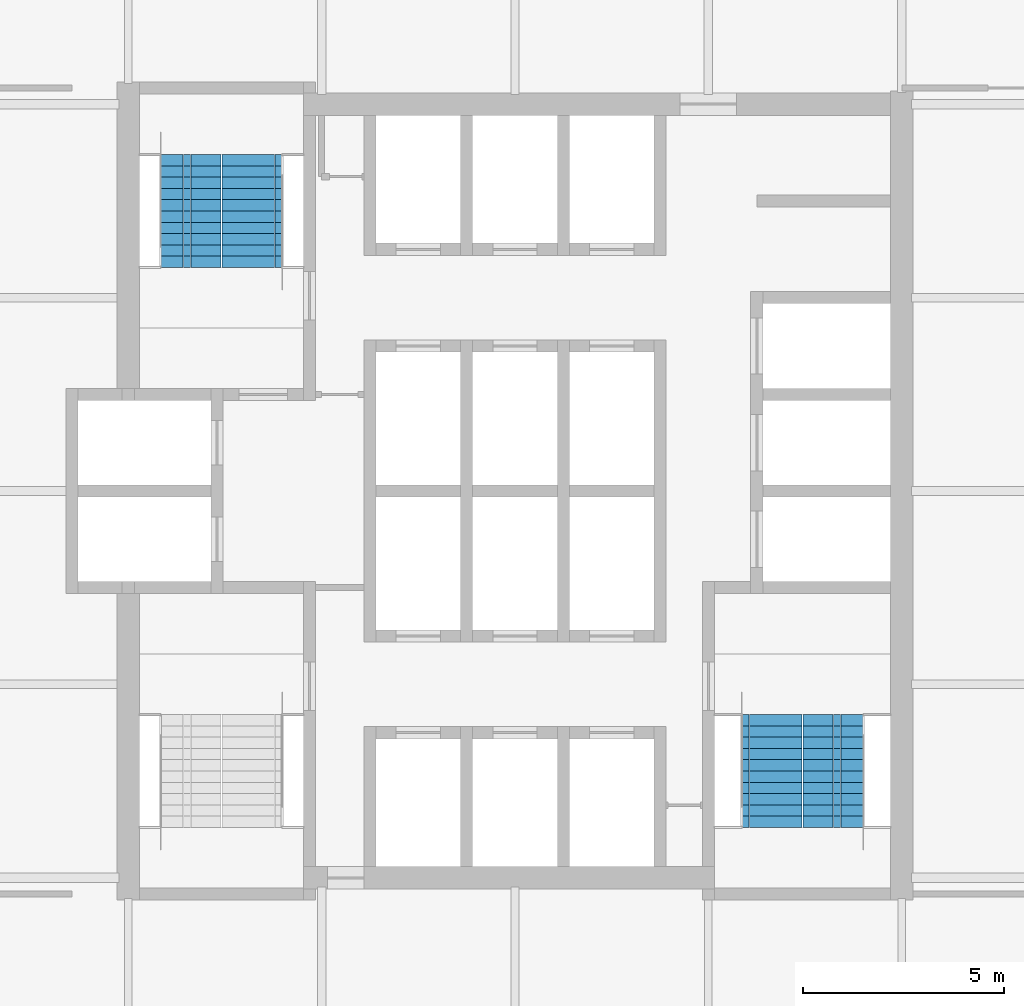
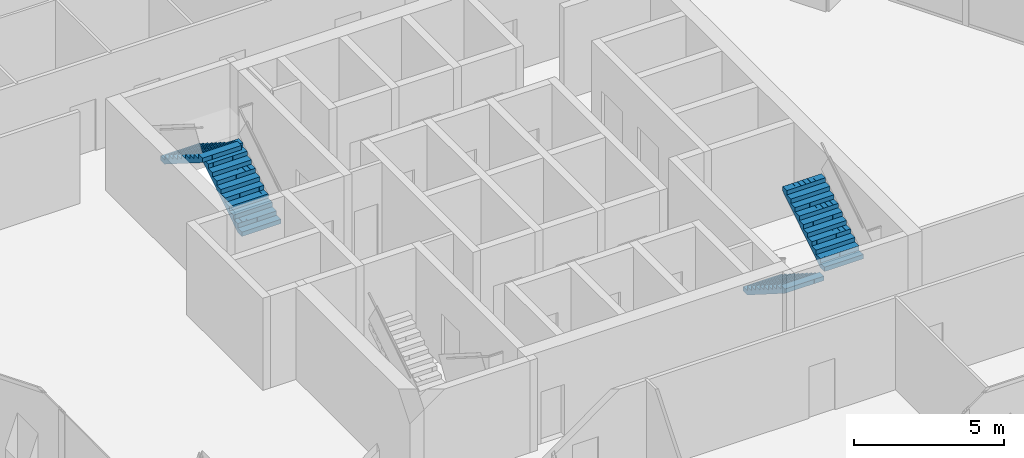
# One storey, part 11 of 13: 4 stair flights, 2 elements without a shape of their own.
"""IFC4 building model written with IfcOpenShell, lengths in metres."""

from ifc_helpers import new_model, si_unit, direction, frame, origin, place, context, subcontext, project, spatial, polyline, outline, extrude, material, type_object, element, aggregate, save


model = new_model("IFC4")

# Units and contexts
model_context = context("Model", 3, precision=1e-05, world=origin(), true_north=direction((0.0, 1.0)))
body_context = subcontext(model_context, "Body", "Model", "MODEL_VIEW")
ifc_project = project(units=[si_unit("LENGTHUNIT", "METRE"), si_unit("AREAUNIT", "SQUARE_METRE"), si_unit("VOLUMEUNIT", "CUBIC_METRE"), si_unit("PLANEANGLEUNIT", "RADIAN"), si_unit("MASSUNIT", "GRAM", prefix="KILO")], contexts=[model_context])

# Site, building, storey
site_placement = place(None, origin())
site = spatial("IfcSite", under=ifc_project, at=site_placement, CompositionType="ELEMENT")
building_placement = place(site_placement, origin())
building = spatial("IfcBuilding", under=site, at=building_placement, Name="Kolab Exchange Tower", CompositionType="ELEMENT")
storey_placement = place(building_placement, frame((0.0, 0.0, 230.60009765625)))
storey = spatial("IfcBuildingStorey", under=building, at=storey_placement, Name="L50", CompositionType="ELEMENT", Elevation=230.60009765625)

# Stair, stair flights
ifc_material = material(Name="Concrete C50/60", Category="concrete")
stair_type_1 = type_object("IfcStairType", Name="STAIR ST1 RISER 177.3", PredefinedType="HALF_TURN_STAIR", material=ifc_material)
stair_1_placement = place(storey_placement, origin())
stair_1 = element("IfcStair", 1, at=stair_1_placement, inside=storey, type_object=stair_type_1, Name="Stair 1", PredefinedType="HALF_TURN_STAIR")
stair_flight_type = type_object("IfcStairFlightType", Name="STAIR FLIGHT 1500 RISER 177.3", PredefinedType="STRAIGHT", material=ifc_material)
stair_flight_1_placement = place(storey_placement, frame((-6.527587890625, 5.550048828125, 0.0), z_axis=(0.0, 0.0, 1.0), x_axis=(0.0, 1.0, 0.0)))
stair_flight_1 = element("IfcStairFlight", 2, at=stair_flight_1_placement, type_object=stair_flight_type, Name="ST1 flight 1", NumberOfRisers=11, NumberOfTreads=10, PredefinedType="STRAIGHT", RiserHeight=0.177272727, TreadLength=0.28, context=body_context, shape_type="SweptSolid", body=[
    extrude(outline(polyline([(0.0, 0.0), (0.0, 0.17724609375), (0.280029296875, 0.17724609375), (0.280029296875, 0.3544921875), (0.56005859375, 0.3544921875), (0.56005859375, 0.53173828125), (0.840087890625, 0.53173828125), (0.840087890625, 0.708984375), (1.1201171875, 0.708984375), (1.1201171875, 0.886474609375), (1.39990234375, 0.886474609375), (1.39990234375, 1.063720703125), (1.679931640625, 1.063720703125), (1.679931640625, 1.240966796875), (1.9599609375, 1.240966796875), (1.9599609375, 1.418212890625), (2.239990234375, 1.418212890625), (2.239990234375, 1.595458984375), (2.52001953125, 1.595458984375), (2.52001953125, 1.772705078125), (2.800048828125, 1.772705078125), (2.800048828125, 1.949951171875), (2.800048828125, 1.59521484375), (0.2802734375, 0.0), (0.0, 0.0)])), frame((0.0, 0.75, 0.0), z_axis=(0.0, -1.0, 0.0), x_axis=(1.0, 0.0, 0.0)), (0.0, 0.0, 1.0), 0.185791015625),
    extrude(outline(polyline([(0.0, 0.0), (0.0, 0.17724609375), (0.280029296875, 0.17724609375), (0.280029296875, 0.3544921875), (0.56005859375, 0.3544921875), (0.56005859375, 0.53173828125), (0.840087890625, 0.53173828125), (0.840087890625, 0.708984375), (1.1201171875, 0.708984375), (1.1201171875, 0.886474609375), (1.39990234375, 0.886474609375), (1.39990234375, 1.063720703125), (1.679931640625, 1.063720703125), (1.679931640625, 1.240966796875), (1.9599609375, 1.240966796875), (1.9599609375, 1.418212890625), (2.239990234375, 1.418212890625), (2.239990234375, 1.595458984375), (2.52001953125, 1.595458984375), (2.52001953125, 1.772705078125), (2.800048828125, 1.772705078125), (2.800048828125, 1.949951171875), (2.800048828125, 1.59521484375), (0.2802734375, 0.0), (0.0, 0.0)])), frame((0.0, 0.562255859375, 0.0), z_axis=(0.0, -1.0, 0.0), x_axis=(1.0, 0.0, 0.0)), (0.0, 0.0, 1.0), 0.185791015625),
    extrude(outline(polyline([(0.0, 0.0), (0.0, 0.17724609375), (0.280029296875, 0.17724609375), (0.280029296875, 0.3544921875), (0.56005859375, 0.3544921875), (0.56005859375, 0.53173828125), (0.840087890625, 0.53173828125), (0.840087890625, 0.708984375), (1.1201171875, 0.708984375), (1.1201171875, 0.886474609375), (1.39990234375, 0.886474609375), (1.39990234375, 1.063720703125), (1.679931640625, 1.063720703125), (1.679931640625, 1.240966796875), (1.9599609375, 1.240966796875), (1.9599609375, 1.418212890625), (2.239990234375, 1.418212890625), (2.239990234375, 1.595458984375), (2.52001953125, 1.595458984375), (2.52001953125, 1.772705078125), (2.800048828125, 1.772705078125), (2.800048828125, 1.949951171875), (2.800048828125, 1.59521484375), (0.2802734375, 0.0), (0.0, 0.0)])), frame((0.0, 0.37451171875, 0.0), z_axis=(0.0, -1.0, 0.0), x_axis=(1.0, 0.0, 0.0)), (0.0, 0.0, 1.0), 0.185791015625),
    extrude(outline(polyline([(0.0, 0.0), (0.0, 0.17724609375), (0.280029296875, 0.17724609375), (0.280029296875, 0.3544921875), (0.56005859375, 0.3544921875), (0.56005859375, 0.53173828125), (0.840087890625, 0.53173828125), (0.840087890625, 0.708984375), (1.1201171875, 0.708984375), (1.1201171875, 0.886474609375), (1.39990234375, 0.886474609375), (1.39990234375, 1.063720703125), (1.679931640625, 1.063720703125), (1.679931640625, 1.240966796875), (1.9599609375, 1.240966796875), (1.9599609375, 1.418212890625), (2.239990234375, 1.418212890625), (2.239990234375, 1.595458984375), (2.52001953125, 1.595458984375), (2.52001953125, 1.772705078125), (2.800048828125, 1.772705078125), (2.800048828125, 1.949951171875), (2.800048828125, 1.59521484375), (0.2802734375, 0.0), (0.0, 0.0)])), frame((0.0, 0.186767578125, 0.0), z_axis=(0.0, -1.0, 0.0), x_axis=(1.0, 0.0, 0.0)), (0.0, 0.0, 1.0), 0.185791015625),
    extrude(outline(polyline([(0.0, 0.0), (0.0, 0.17724609375), (0.280029296875, 0.17724609375), (0.280029296875, 0.3544921875), (0.56005859375, 0.3544921875), (0.56005859375, 0.53173828125), (0.840087890625, 0.53173828125), (0.840087890625, 0.708984375), (1.1201171875, 0.708984375), (1.1201171875, 0.886474609375), (1.39990234375, 0.886474609375), (1.39990234375, 1.063720703125), (1.679931640625, 1.063720703125), (1.679931640625, 1.240966796875), (1.9599609375, 1.240966796875), (1.9599609375, 1.418212890625), (2.239990234375, 1.418212890625), (2.239990234375, 1.595458984375), (2.52001953125, 1.595458984375), (2.52001953125, 1.772705078125), (2.800048828125, 1.772705078125), (2.800048828125, 1.949951171875), (2.800048828125, 1.59521484375), (0.2802734375, 0.0), (0.0, 0.0)])), frame((0.0, -0.0009765625, 0.0), z_axis=(0.0, -1.0, 0.0), x_axis=(1.0, 0.0, 0.0)), (0.0, 0.0, 1.0), 0.185791015625),
    extrude(outline(polyline([(0.0, 0.0), (0.0, 0.17724609375), (0.280029296875, 0.17724609375), (0.280029296875, 0.3544921875), (0.56005859375, 0.3544921875), (0.56005859375, 0.53173828125), (0.840087890625, 0.53173828125), (0.840087890625, 0.708984375), (1.1201171875, 0.708984375), (1.1201171875, 0.886474609375), (1.39990234375, 0.886474609375), (1.39990234375, 1.063720703125), (1.679931640625, 1.063720703125), (1.679931640625, 1.240966796875), (1.9599609375, 1.240966796875), (1.9599609375, 1.418212890625), (2.239990234375, 1.418212890625), (2.239990234375, 1.595458984375), (2.52001953125, 1.595458984375), (2.52001953125, 1.772705078125), (2.800048828125, 1.772705078125), (2.800048828125, 1.949951171875), (2.800048828125, 1.59521484375), (0.2802734375, 0.0), (0.0, 0.0)])), frame((0.0, -0.188720703125, 0.0), z_axis=(0.0, -1.0, 0.0), x_axis=(1.0, 0.0, 0.0)), (0.0, 0.0, 1.0), 0.185791015625),
    extrude(outline(polyline([(0.0, 0.0), (0.0, 0.17724609375), (0.280029296875, 0.17724609375), (0.280029296875, 0.3544921875), (0.56005859375, 0.3544921875), (0.56005859375, 0.53173828125), (0.840087890625, 0.53173828125), (0.840087890625, 0.708984375), (1.1201171875, 0.708984375), (1.1201171875, 0.886474609375), (1.39990234375, 0.886474609375), (1.39990234375, 1.063720703125), (1.679931640625, 1.063720703125), (1.679931640625, 1.240966796875), (1.9599609375, 1.240966796875), (1.9599609375, 1.418212890625), (2.239990234375, 1.418212890625), (2.239990234375, 1.595458984375), (2.52001953125, 1.595458984375), (2.52001953125, 1.772705078125), (2.800048828125, 1.772705078125), (2.800048828125, 1.949951171875), (2.800048828125, 1.59521484375), (0.2802734375, 0.0), (0.0, 0.0)])), frame((0.0, -0.37646484375, 0.0), z_axis=(0.0, -1.0, 0.0), x_axis=(1.0, 0.0, 0.0)), (0.0, 0.0, 1.0), 0.185791015625),
    extrude(outline(polyline([(0.0, 0.0), (0.0, 0.17724609375), (0.280029296875, 0.17724609375), (0.280029296875, 0.3544921875), (0.56005859375, 0.3544921875), (0.56005859375, 0.53173828125), (0.840087890625, 0.53173828125), (0.840087890625, 0.708984375), (1.1201171875, 0.708984375), (1.1201171875, 0.886474609375), (1.39990234375, 0.886474609375), (1.39990234375, 1.063720703125), (1.679931640625, 1.063720703125), (1.679931640625, 1.240966796875), (1.9599609375, 1.240966796875), (1.9599609375, 1.418212890625), (2.239990234375, 1.418212890625), (2.239990234375, 1.595458984375), (2.52001953125, 1.595458984375), (2.52001953125, 1.772705078125), (2.800048828125, 1.772705078125), (2.800048828125, 1.949951171875), (2.800048828125, 1.59521484375), (0.2802734375, 0.0), (0.0, 0.0)])), frame((0.0, -0.564208984375, 0.0), z_axis=(0.0, -1.0, 0.0), x_axis=(1.0, 0.0, 0.0)), (0.0, 0.0, 1.0), 0.185791015625),
])
stair_flight_2_placement = place(storey_placement, frame((-8.047607421875, 8.35009765625, 1.949951171875), z_axis=(0.0, 0.0, 1.0), x_axis=(0.0, -1.0, 0.0)))
stair_flight_2 = element("IfcStairFlight", 3, at=stair_flight_2_placement, type_object=stair_flight_type, Name="ST1 flight 2", NumberOfRisers=11, NumberOfTreads=10, PredefinedType="STRAIGHT", RiserHeight=0.177272727, TreadLength=0.28, context=body_context, shape_type="SweptSolid", body=[
    extrude(outline(polyline([(0.0, 0.0), (0.0, 0.17724609375), (0.280029296875, 0.17724609375), (0.280029296875, 0.3544921875), (0.56005859375, 0.3544921875), (0.56005859375, 0.53173828125), (0.840087890625, 0.53173828125), (0.840087890625, 0.708984375), (1.1201171875, 0.708984375), (1.1201171875, 0.886474609375), (1.39990234375, 0.886474609375), (1.39990234375, 1.063720703125), (1.679931640625, 1.063720703125), (1.679931640625, 1.240966796875), (1.9599609375, 1.240966796875), (1.9599609375, 1.418212890625), (2.239990234375, 1.418212890625), (2.239990234375, 1.595458984375), (2.52001953125, 1.595458984375), (2.52001953125, 1.772705078125), (2.800048828125, 1.772705078125), (2.800048828125, 1.949951171875), (2.800048828125, 1.59521484375), (0.2802734375, 0.0), (0.0, 0.0)])), frame((0.0, 0.75, 0.0), z_axis=(0.0, -1.0, 0.0), x_axis=(1.0, 0.0, 0.0)), (0.0, 0.0, 1.0), 0.185791015625),
    extrude(outline(polyline([(0.0, 0.0), (0.0, 0.17724609375), (0.280029296875, 0.17724609375), (0.280029296875, 0.3544921875), (0.56005859375, 0.3544921875), (0.56005859375, 0.53173828125), (0.840087890625, 0.53173828125), (0.840087890625, 0.708984375), (1.1201171875, 0.708984375), (1.1201171875, 0.886474609375), (1.39990234375, 0.886474609375), (1.39990234375, 1.063720703125), (1.679931640625, 1.063720703125), (1.679931640625, 1.240966796875), (1.9599609375, 1.240966796875), (1.9599609375, 1.418212890625), (2.239990234375, 1.418212890625), (2.239990234375, 1.595458984375), (2.52001953125, 1.595458984375), (2.52001953125, 1.772705078125), (2.800048828125, 1.772705078125), (2.800048828125, 1.949951171875), (2.800048828125, 1.59521484375), (0.2802734375, 0.0), (0.0, 0.0)])), frame((0.0, 0.562255859375, 0.0), z_axis=(0.0, -1.0, 0.0), x_axis=(1.0, 0.0, 0.0)), (0.0, 0.0, 1.0), 0.185791015625),
    extrude(outline(polyline([(0.0, 0.0), (0.0, 0.17724609375), (0.280029296875, 0.17724609375), (0.280029296875, 0.3544921875), (0.56005859375, 0.3544921875), (0.56005859375, 0.53173828125), (0.840087890625, 0.53173828125), (0.840087890625, 0.708984375), (1.1201171875, 0.708984375), (1.1201171875, 0.886474609375), (1.39990234375, 0.886474609375), (1.39990234375, 1.063720703125), (1.679931640625, 1.063720703125), (1.679931640625, 1.240966796875), (1.9599609375, 1.240966796875), (1.9599609375, 1.418212890625), (2.239990234375, 1.418212890625), (2.239990234375, 1.595458984375), (2.52001953125, 1.595458984375), (2.52001953125, 1.772705078125), (2.800048828125, 1.772705078125), (2.800048828125, 1.949951171875), (2.800048828125, 1.59521484375), (0.2802734375, 0.0), (0.0, 0.0)])), frame((0.0, 0.37451171875, 0.0), z_axis=(0.0, -1.0, 0.0), x_axis=(1.0, 0.0, 0.0)), (0.0, 0.0, 1.0), 0.185791015625),
    extrude(outline(polyline([(0.0, 0.0), (0.0, 0.17724609375), (0.280029296875, 0.17724609375), (0.280029296875, 0.3544921875), (0.56005859375, 0.3544921875), (0.56005859375, 0.53173828125), (0.840087890625, 0.53173828125), (0.840087890625, 0.708984375), (1.1201171875, 0.708984375), (1.1201171875, 0.886474609375), (1.39990234375, 0.886474609375), (1.39990234375, 1.063720703125), (1.679931640625, 1.063720703125), (1.679931640625, 1.240966796875), (1.9599609375, 1.240966796875), (1.9599609375, 1.418212890625), (2.239990234375, 1.418212890625), (2.239990234375, 1.595458984375), (2.52001953125, 1.595458984375), (2.52001953125, 1.772705078125), (2.800048828125, 1.772705078125), (2.800048828125, 1.949951171875), (2.800048828125, 1.59521484375), (0.2802734375, 0.0), (0.0, 0.0)])), frame((0.0, 0.186767578125, 0.0), z_axis=(0.0, -1.0, 0.0), x_axis=(1.0, 0.0, 0.0)), (0.0, 0.0, 1.0), 0.185791015625),
    extrude(outline(polyline([(0.0, 0.0), (0.0, 0.17724609375), (0.280029296875, 0.17724609375), (0.280029296875, 0.3544921875), (0.56005859375, 0.3544921875), (0.56005859375, 0.53173828125), (0.840087890625, 0.53173828125), (0.840087890625, 0.708984375), (1.1201171875, 0.708984375), (1.1201171875, 0.886474609375), (1.39990234375, 0.886474609375), (1.39990234375, 1.063720703125), (1.679931640625, 1.063720703125), (1.679931640625, 1.240966796875), (1.9599609375, 1.240966796875), (1.9599609375, 1.418212890625), (2.239990234375, 1.418212890625), (2.239990234375, 1.595458984375), (2.52001953125, 1.595458984375), (2.52001953125, 1.772705078125), (2.800048828125, 1.772705078125), (2.800048828125, 1.949951171875), (2.800048828125, 1.59521484375), (0.2802734375, 0.0), (0.0, 0.0)])), frame((0.0, -0.0009765625, 0.0), z_axis=(0.0, -1.0, 0.0), x_axis=(1.0, 0.0, 0.0)), (0.0, 0.0, 1.0), 0.185791015625),
    extrude(outline(polyline([(0.0, 0.0), (0.0, 0.17724609375), (0.280029296875, 0.17724609375), (0.280029296875, 0.3544921875), (0.56005859375, 0.3544921875), (0.56005859375, 0.53173828125), (0.840087890625, 0.53173828125), (0.840087890625, 0.708984375), (1.1201171875, 0.708984375), (1.1201171875, 0.886474609375), (1.39990234375, 0.886474609375), (1.39990234375, 1.063720703125), (1.679931640625, 1.063720703125), (1.679931640625, 1.240966796875), (1.9599609375, 1.240966796875), (1.9599609375, 1.418212890625), (2.239990234375, 1.418212890625), (2.239990234375, 1.595458984375), (2.52001953125, 1.595458984375), (2.52001953125, 1.772705078125), (2.800048828125, 1.772705078125), (2.800048828125, 1.949951171875), (2.800048828125, 1.59521484375), (0.2802734375, 0.0), (0.0, 0.0)])), frame((0.0, -0.188720703125, 0.0), z_axis=(0.0, -1.0, 0.0), x_axis=(1.0, 0.0, 0.0)), (0.0, 0.0, 1.0), 0.185791015625),
    extrude(outline(polyline([(0.0, 0.0), (0.0, 0.17724609375), (0.280029296875, 0.17724609375), (0.280029296875, 0.3544921875), (0.56005859375, 0.3544921875), (0.56005859375, 0.53173828125), (0.840087890625, 0.53173828125), (0.840087890625, 0.708984375), (1.1201171875, 0.708984375), (1.1201171875, 0.886474609375), (1.39990234375, 0.886474609375), (1.39990234375, 1.063720703125), (1.679931640625, 1.063720703125), (1.679931640625, 1.240966796875), (1.9599609375, 1.240966796875), (1.9599609375, 1.418212890625), (2.239990234375, 1.418212890625), (2.239990234375, 1.595458984375), (2.52001953125, 1.595458984375), (2.52001953125, 1.772705078125), (2.800048828125, 1.772705078125), (2.800048828125, 1.949951171875), (2.800048828125, 1.59521484375), (0.2802734375, 0.0), (0.0, 0.0)])), frame((0.0, -0.37646484375, 0.0), z_axis=(0.0, -1.0, 0.0), x_axis=(1.0, 0.0, 0.0)), (0.0, 0.0, 1.0), 0.185791015625),
    extrude(outline(polyline([(0.0, 0.0), (0.0, 0.17724609375), (0.280029296875, 0.17724609375), (0.280029296875, 0.3544921875), (0.56005859375, 0.3544921875), (0.56005859375, 0.53173828125), (0.840087890625, 0.53173828125), (0.840087890625, 0.708984375), (1.1201171875, 0.708984375), (1.1201171875, 0.886474609375), (1.39990234375, 0.886474609375), (1.39990234375, 1.063720703125), (1.679931640625, 1.063720703125), (1.679931640625, 1.240966796875), (1.9599609375, 1.240966796875), (1.9599609375, 1.418212890625), (2.239990234375, 1.418212890625), (2.239990234375, 1.595458984375), (2.52001953125, 1.595458984375), (2.52001953125, 1.772705078125), (2.800048828125, 1.772705078125), (2.800048828125, 1.949951171875), (2.800048828125, 1.59521484375), (0.2802734375, 0.0), (0.0, 0.0)])), frame((0.0, -0.564208984375, 0.0), z_axis=(0.0, -1.0, 0.0), x_axis=(1.0, 0.0, 0.0)), (0.0, 0.0, 1.0), 0.185791015625),
])
aggregate(stair_1, [stair_flight_1, stair_flight_2])

stair_type_2 = type_object("IfcStairType", Name="STAIR ST2 RISER 177.3", PredefinedType="HALF_TURN_STAIR", material=ifc_material)
stair_2_placement = place(storey_placement, origin())
stair_2 = element("IfcStair", 4, at=stair_2_placement, inside=storey, type_object=stair_type_2, Name="Stair 2", PredefinedType="HALF_TURN_STAIR")
stair_flight_3_placement = place(storey_placement, frame((6.37744140625, -5.550048828125, 0.0), z_axis=(0.0, 0.0, 1.0), x_axis=(0.0, -1.0, 0.0)))
stair_flight_3 = element("IfcStairFlight", 5, at=stair_flight_3_placement, type_object=stair_flight_type, Name="ST2 flight 1", NumberOfRisers=11, NumberOfTreads=10, PredefinedType="STRAIGHT", RiserHeight=0.177272727, TreadLength=0.28, context=body_context, shape_type="SweptSolid", body=[
    extrude(outline(polyline([(0.0, 0.0), (0.0, 0.17724609375), (0.280029296875, 0.17724609375), (0.280029296875, 0.3544921875), (0.56005859375, 0.3544921875), (0.56005859375, 0.53173828125), (0.840087890625, 0.53173828125), (0.840087890625, 0.708984375), (1.1201171875, 0.708984375), (1.1201171875, 0.886474609375), (1.39990234375, 0.886474609375), (1.39990234375, 1.063720703125), (1.679931640625, 1.063720703125), (1.679931640625, 1.240966796875), (1.9599609375, 1.240966796875), (1.9599609375, 1.418212890625), (2.239990234375, 1.418212890625), (2.239990234375, 1.595458984375), (2.52001953125, 1.595458984375), (2.52001953125, 1.772705078125), (2.800048828125, 1.772705078125), (2.800048828125, 1.949951171875), (2.800048828125, 1.59521484375), (0.2802734375, 0.0), (0.0, 0.0)])), frame((0.0, 0.75, 0.0), z_axis=(0.0, -1.0, 0.0), x_axis=(1.0, 0.0, 0.0)), (0.0, 0.0, 1.0), 0.185791015625),
    extrude(outline(polyline([(0.0, 0.0), (0.0, 0.17724609375), (0.280029296875, 0.17724609375), (0.280029296875, 0.3544921875), (0.56005859375, 0.3544921875), (0.56005859375, 0.53173828125), (0.840087890625, 0.53173828125), (0.840087890625, 0.708984375), (1.1201171875, 0.708984375), (1.1201171875, 0.886474609375), (1.39990234375, 0.886474609375), (1.39990234375, 1.063720703125), (1.679931640625, 1.063720703125), (1.679931640625, 1.240966796875), (1.9599609375, 1.240966796875), (1.9599609375, 1.418212890625), (2.239990234375, 1.418212890625), (2.239990234375, 1.595458984375), (2.52001953125, 1.595458984375), (2.52001953125, 1.772705078125), (2.800048828125, 1.772705078125), (2.800048828125, 1.949951171875), (2.800048828125, 1.59521484375), (0.2802734375, 0.0), (0.0, 0.0)])), frame((0.0, 0.562255859375, 0.0), z_axis=(0.0, -1.0, 0.0), x_axis=(1.0, 0.0, 0.0)), (0.0, 0.0, 1.0), 0.185791015625),
    extrude(outline(polyline([(0.0, 0.0), (0.0, 0.17724609375), (0.280029296875, 0.17724609375), (0.280029296875, 0.3544921875), (0.56005859375, 0.3544921875), (0.56005859375, 0.53173828125), (0.840087890625, 0.53173828125), (0.840087890625, 0.708984375), (1.1201171875, 0.708984375), (1.1201171875, 0.886474609375), (1.39990234375, 0.886474609375), (1.39990234375, 1.063720703125), (1.679931640625, 1.063720703125), (1.679931640625, 1.240966796875), (1.9599609375, 1.240966796875), (1.9599609375, 1.418212890625), (2.239990234375, 1.418212890625), (2.239990234375, 1.595458984375), (2.52001953125, 1.595458984375), (2.52001953125, 1.772705078125), (2.800048828125, 1.772705078125), (2.800048828125, 1.949951171875), (2.800048828125, 1.59521484375), (0.2802734375, 0.0), (0.0, 0.0)])), frame((0.0, 0.37451171875, 0.0), z_axis=(0.0, -1.0, 0.0), x_axis=(1.0, 0.0, 0.0)), (0.0, 0.0, 1.0), 0.185791015625),
    extrude(outline(polyline([(0.0, 0.0), (0.0, 0.17724609375), (0.280029296875, 0.17724609375), (0.280029296875, 0.3544921875), (0.56005859375, 0.3544921875), (0.56005859375, 0.53173828125), (0.840087890625, 0.53173828125), (0.840087890625, 0.708984375), (1.1201171875, 0.708984375), (1.1201171875, 0.886474609375), (1.39990234375, 0.886474609375), (1.39990234375, 1.063720703125), (1.679931640625, 1.063720703125), (1.679931640625, 1.240966796875), (1.9599609375, 1.240966796875), (1.9599609375, 1.418212890625), (2.239990234375, 1.418212890625), (2.239990234375, 1.595458984375), (2.52001953125, 1.595458984375), (2.52001953125, 1.772705078125), (2.800048828125, 1.772705078125), (2.800048828125, 1.949951171875), (2.800048828125, 1.59521484375), (0.2802734375, 0.0), (0.0, 0.0)])), frame((0.0, 0.186767578125, 0.0), z_axis=(0.0, -1.0, 0.0), x_axis=(1.0, 0.0, 0.0)), (0.0, 0.0, 1.0), 0.185791015625),
    extrude(outline(polyline([(0.0, 0.0), (0.0, 0.17724609375), (0.280029296875, 0.17724609375), (0.280029296875, 0.3544921875), (0.56005859375, 0.3544921875), (0.56005859375, 0.53173828125), (0.840087890625, 0.53173828125), (0.840087890625, 0.708984375), (1.1201171875, 0.708984375), (1.1201171875, 0.886474609375), (1.39990234375, 0.886474609375), (1.39990234375, 1.063720703125), (1.679931640625, 1.063720703125), (1.679931640625, 1.240966796875), (1.9599609375, 1.240966796875), (1.9599609375, 1.418212890625), (2.239990234375, 1.418212890625), (2.239990234375, 1.595458984375), (2.52001953125, 1.595458984375), (2.52001953125, 1.772705078125), (2.800048828125, 1.772705078125), (2.800048828125, 1.949951171875), (2.800048828125, 1.59521484375), (0.2802734375, 0.0), (0.0, 0.0)])), frame((0.0, -0.0009765625, 0.0), z_axis=(0.0, -1.0, 0.0), x_axis=(1.0, 0.0, 0.0)), (0.0, 0.0, 1.0), 0.185791015625),
    extrude(outline(polyline([(0.0, 0.0), (0.0, 0.17724609375), (0.280029296875, 0.17724609375), (0.280029296875, 0.3544921875), (0.56005859375, 0.3544921875), (0.56005859375, 0.53173828125), (0.840087890625, 0.53173828125), (0.840087890625, 0.708984375), (1.1201171875, 0.708984375), (1.1201171875, 0.886474609375), (1.39990234375, 0.886474609375), (1.39990234375, 1.063720703125), (1.679931640625, 1.063720703125), (1.679931640625, 1.240966796875), (1.9599609375, 1.240966796875), (1.9599609375, 1.418212890625), (2.239990234375, 1.418212890625), (2.239990234375, 1.595458984375), (2.52001953125, 1.595458984375), (2.52001953125, 1.772705078125), (2.800048828125, 1.772705078125), (2.800048828125, 1.949951171875), (2.800048828125, 1.59521484375), (0.2802734375, 0.0), (0.0, 0.0)])), frame((0.0, -0.188720703125, 0.0), z_axis=(0.0, -1.0, 0.0), x_axis=(1.0, 0.0, 0.0)), (0.0, 0.0, 1.0), 0.185791015625),
    extrude(outline(polyline([(0.0, 0.0), (0.0, 0.17724609375), (0.280029296875, 0.17724609375), (0.280029296875, 0.3544921875), (0.56005859375, 0.3544921875), (0.56005859375, 0.53173828125), (0.840087890625, 0.53173828125), (0.840087890625, 0.708984375), (1.1201171875, 0.708984375), (1.1201171875, 0.886474609375), (1.39990234375, 0.886474609375), (1.39990234375, 1.063720703125), (1.679931640625, 1.063720703125), (1.679931640625, 1.240966796875), (1.9599609375, 1.240966796875), (1.9599609375, 1.418212890625), (2.239990234375, 1.418212890625), (2.239990234375, 1.595458984375), (2.52001953125, 1.595458984375), (2.52001953125, 1.772705078125), (2.800048828125, 1.772705078125), (2.800048828125, 1.949951171875), (2.800048828125, 1.59521484375), (0.2802734375, 0.0), (0.0, 0.0)])), frame((0.0, -0.37646484375, 0.0), z_axis=(0.0, -1.0, 0.0), x_axis=(1.0, 0.0, 0.0)), (0.0, 0.0, 1.0), 0.185791015625),
    extrude(outline(polyline([(0.0, 0.0), (0.0, 0.17724609375), (0.280029296875, 0.17724609375), (0.280029296875, 0.3544921875), (0.56005859375, 0.3544921875), (0.56005859375, 0.53173828125), (0.840087890625, 0.53173828125), (0.840087890625, 0.708984375), (1.1201171875, 0.708984375), (1.1201171875, 0.886474609375), (1.39990234375, 0.886474609375), (1.39990234375, 1.063720703125), (1.679931640625, 1.063720703125), (1.679931640625, 1.240966796875), (1.9599609375, 1.240966796875), (1.9599609375, 1.418212890625), (2.239990234375, 1.418212890625), (2.239990234375, 1.595458984375), (2.52001953125, 1.595458984375), (2.52001953125, 1.772705078125), (2.800048828125, 1.772705078125), (2.800048828125, 1.949951171875), (2.800048828125, 1.59521484375), (0.2802734375, 0.0), (0.0, 0.0)])), frame((0.0, -0.564208984375, 0.0), z_axis=(0.0, -1.0, 0.0), x_axis=(1.0, 0.0, 0.0)), (0.0, 0.0, 1.0), 0.185791015625),
])
stair_flight_4_placement = place(storey_placement, frame((7.8974609375, -8.35009765625, 1.949951171875), z_axis=(0.0, 0.0, 1.0), x_axis=(0.0, 1.0, 0.0)))
stair_flight_4 = element("IfcStairFlight", 6, at=stair_flight_4_placement, type_object=stair_flight_type, Name="ST2 flight 2", NumberOfRisers=11, NumberOfTreads=10, PredefinedType="STRAIGHT", RiserHeight=0.177272727, TreadLength=0.28, context=body_context, shape_type="SweptSolid", body=[
    extrude(outline(polyline([(0.0, 0.0), (0.0, 0.17724609375), (0.280029296875, 0.17724609375), (0.280029296875, 0.3544921875), (0.56005859375, 0.3544921875), (0.56005859375, 0.53173828125), (0.840087890625, 0.53173828125), (0.840087890625, 0.708984375), (1.1201171875, 0.708984375), (1.1201171875, 0.886474609375), (1.39990234375, 0.886474609375), (1.39990234375, 1.063720703125), (1.679931640625, 1.063720703125), (1.679931640625, 1.240966796875), (1.9599609375, 1.240966796875), (1.9599609375, 1.418212890625), (2.239990234375, 1.418212890625), (2.239990234375, 1.595458984375), (2.52001953125, 1.595458984375), (2.52001953125, 1.772705078125), (2.800048828125, 1.772705078125), (2.800048828125, 1.949951171875), (2.800048828125, 1.59521484375), (0.2802734375, 0.0), (0.0, 0.0)])), frame((0.0, 0.75, 0.0), z_axis=(0.0, -1.0, 0.0), x_axis=(1.0, 0.0, 0.0)), (0.0, 0.0, 1.0), 0.185791015625),
    extrude(outline(polyline([(0.0, 0.0), (0.0, 0.17724609375), (0.280029296875, 0.17724609375), (0.280029296875, 0.3544921875), (0.56005859375, 0.3544921875), (0.56005859375, 0.53173828125), (0.840087890625, 0.53173828125), (0.840087890625, 0.708984375), (1.1201171875, 0.708984375), (1.1201171875, 0.886474609375), (1.39990234375, 0.886474609375), (1.39990234375, 1.063720703125), (1.679931640625, 1.063720703125), (1.679931640625, 1.240966796875), (1.9599609375, 1.240966796875), (1.9599609375, 1.418212890625), (2.239990234375, 1.418212890625), (2.239990234375, 1.595458984375), (2.52001953125, 1.595458984375), (2.52001953125, 1.772705078125), (2.800048828125, 1.772705078125), (2.800048828125, 1.949951171875), (2.800048828125, 1.59521484375), (0.2802734375, 0.0), (0.0, 0.0)])), frame((0.0, 0.562255859375, 0.0), z_axis=(0.0, -1.0, 0.0), x_axis=(1.0, 0.0, 0.0)), (0.0, 0.0, 1.0), 0.185791015625),
    extrude(outline(polyline([(0.0, 0.0), (0.0, 0.17724609375), (0.280029296875, 0.17724609375), (0.280029296875, 0.3544921875), (0.56005859375, 0.3544921875), (0.56005859375, 0.53173828125), (0.840087890625, 0.53173828125), (0.840087890625, 0.708984375), (1.1201171875, 0.708984375), (1.1201171875, 0.886474609375), (1.39990234375, 0.886474609375), (1.39990234375, 1.063720703125), (1.679931640625, 1.063720703125), (1.679931640625, 1.240966796875), (1.9599609375, 1.240966796875), (1.9599609375, 1.418212890625), (2.239990234375, 1.418212890625), (2.239990234375, 1.595458984375), (2.52001953125, 1.595458984375), (2.52001953125, 1.772705078125), (2.800048828125, 1.772705078125), (2.800048828125, 1.949951171875), (2.800048828125, 1.59521484375), (0.2802734375, 0.0), (0.0, 0.0)])), frame((0.0, 0.37451171875, 0.0), z_axis=(0.0, -1.0, 0.0), x_axis=(1.0, 0.0, 0.0)), (0.0, 0.0, 1.0), 0.185791015625),
    extrude(outline(polyline([(0.0, 0.0), (0.0, 0.17724609375), (0.280029296875, 0.17724609375), (0.280029296875, 0.3544921875), (0.56005859375, 0.3544921875), (0.56005859375, 0.53173828125), (0.840087890625, 0.53173828125), (0.840087890625, 0.708984375), (1.1201171875, 0.708984375), (1.1201171875, 0.886474609375), (1.39990234375, 0.886474609375), (1.39990234375, 1.063720703125), (1.679931640625, 1.063720703125), (1.679931640625, 1.240966796875), (1.9599609375, 1.240966796875), (1.9599609375, 1.418212890625), (2.239990234375, 1.418212890625), (2.239990234375, 1.595458984375), (2.52001953125, 1.595458984375), (2.52001953125, 1.772705078125), (2.800048828125, 1.772705078125), (2.800048828125, 1.949951171875), (2.800048828125, 1.59521484375), (0.2802734375, 0.0), (0.0, 0.0)])), frame((0.0, 0.186767578125, 0.0), z_axis=(0.0, -1.0, 0.0), x_axis=(1.0, 0.0, 0.0)), (0.0, 0.0, 1.0), 0.185791015625),
    extrude(outline(polyline([(0.0, 0.0), (0.0, 0.17724609375), (0.280029296875, 0.17724609375), (0.280029296875, 0.3544921875), (0.56005859375, 0.3544921875), (0.56005859375, 0.53173828125), (0.840087890625, 0.53173828125), (0.840087890625, 0.708984375), (1.1201171875, 0.708984375), (1.1201171875, 0.886474609375), (1.39990234375, 0.886474609375), (1.39990234375, 1.063720703125), (1.679931640625, 1.063720703125), (1.679931640625, 1.240966796875), (1.9599609375, 1.240966796875), (1.9599609375, 1.418212890625), (2.239990234375, 1.418212890625), (2.239990234375, 1.595458984375), (2.52001953125, 1.595458984375), (2.52001953125, 1.772705078125), (2.800048828125, 1.772705078125), (2.800048828125, 1.949951171875), (2.800048828125, 1.59521484375), (0.2802734375, 0.0), (0.0, 0.0)])), frame((0.0, -0.0009765625, 0.0), z_axis=(0.0, -1.0, 0.0), x_axis=(1.0, 0.0, 0.0)), (0.0, 0.0, 1.0), 0.185791015625),
    extrude(outline(polyline([(0.0, 0.0), (0.0, 0.17724609375), (0.280029296875, 0.17724609375), (0.280029296875, 0.3544921875), (0.56005859375, 0.3544921875), (0.56005859375, 0.53173828125), (0.840087890625, 0.53173828125), (0.840087890625, 0.708984375), (1.1201171875, 0.708984375), (1.1201171875, 0.886474609375), (1.39990234375, 0.886474609375), (1.39990234375, 1.063720703125), (1.679931640625, 1.063720703125), (1.679931640625, 1.240966796875), (1.9599609375, 1.240966796875), (1.9599609375, 1.418212890625), (2.239990234375, 1.418212890625), (2.239990234375, 1.595458984375), (2.52001953125, 1.595458984375), (2.52001953125, 1.772705078125), (2.800048828125, 1.772705078125), (2.800048828125, 1.949951171875), (2.800048828125, 1.59521484375), (0.2802734375, 0.0), (0.0, 0.0)])), frame((0.0, -0.188720703125, 0.0), z_axis=(0.0, -1.0, 0.0), x_axis=(1.0, 0.0, 0.0)), (0.0, 0.0, 1.0), 0.185791015625),
    extrude(outline(polyline([(0.0, 0.0), (0.0, 0.17724609375), (0.280029296875, 0.17724609375), (0.280029296875, 0.3544921875), (0.56005859375, 0.3544921875), (0.56005859375, 0.53173828125), (0.840087890625, 0.53173828125), (0.840087890625, 0.708984375), (1.1201171875, 0.708984375), (1.1201171875, 0.886474609375), (1.39990234375, 0.886474609375), (1.39990234375, 1.063720703125), (1.679931640625, 1.063720703125), (1.679931640625, 1.240966796875), (1.9599609375, 1.240966796875), (1.9599609375, 1.418212890625), (2.239990234375, 1.418212890625), (2.239990234375, 1.595458984375), (2.52001953125, 1.595458984375), (2.52001953125, 1.772705078125), (2.800048828125, 1.772705078125), (2.800048828125, 1.949951171875), (2.800048828125, 1.59521484375), (0.2802734375, 0.0), (0.0, 0.0)])), frame((0.0, -0.37646484375, 0.0), z_axis=(0.0, -1.0, 0.0), x_axis=(1.0, 0.0, 0.0)), (0.0, 0.0, 1.0), 0.185791015625),
    extrude(outline(polyline([(0.0, 0.0), (0.0, 0.17724609375), (0.280029296875, 0.17724609375), (0.280029296875, 0.3544921875), (0.56005859375, 0.3544921875), (0.56005859375, 0.53173828125), (0.840087890625, 0.53173828125), (0.840087890625, 0.708984375), (1.1201171875, 0.708984375), (1.1201171875, 0.886474609375), (1.39990234375, 0.886474609375), (1.39990234375, 1.063720703125), (1.679931640625, 1.063720703125), (1.679931640625, 1.240966796875), (1.9599609375, 1.240966796875), (1.9599609375, 1.418212890625), (2.239990234375, 1.418212890625), (2.239990234375, 1.595458984375), (2.52001953125, 1.595458984375), (2.52001953125, 1.772705078125), (2.800048828125, 1.772705078125), (2.800048828125, 1.949951171875), (2.800048828125, 1.59521484375), (0.2802734375, 0.0), (0.0, 0.0)])), frame((0.0, -0.564208984375, 0.0), z_axis=(0.0, -1.0, 0.0), x_axis=(1.0, 0.0, 0.0)), (0.0, 0.0, 1.0), 0.185791015625),
])
aggregate(stair_2, [stair_flight_3, stair_flight_4])

save(model, "model.ifc")
